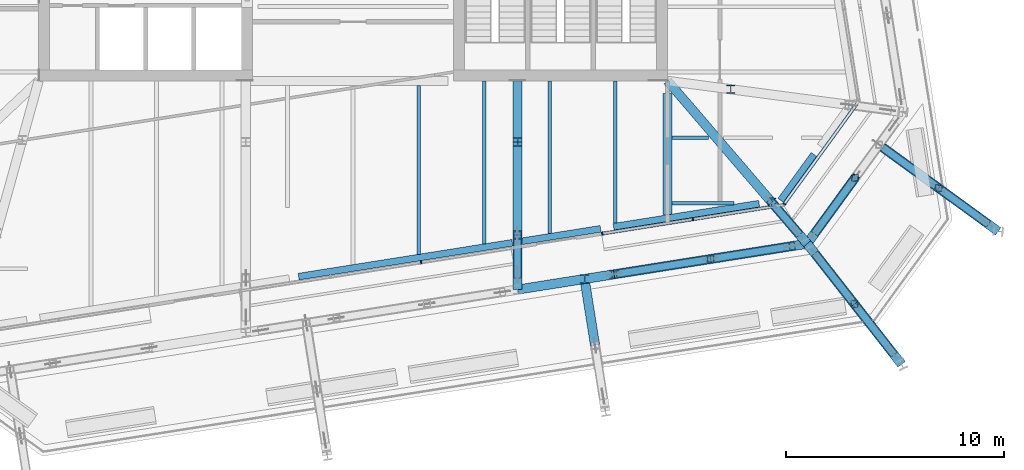
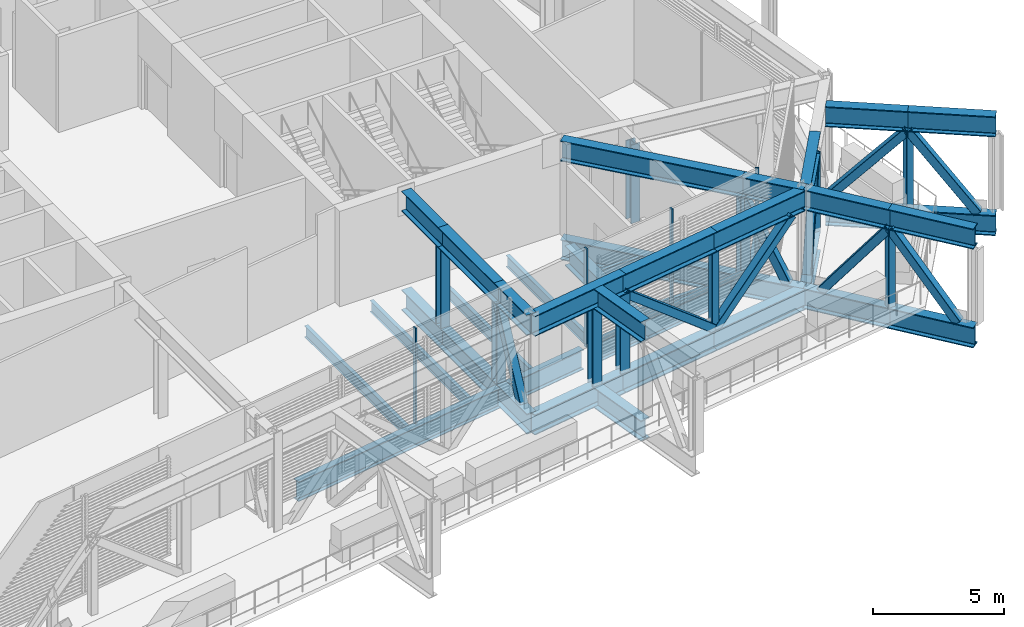
# One storey, part 9 of 35: 39 beams, 25 members, 2 elements without a shape of their own.
"""IFC4 building model written with IfcOpenShell, lengths in metres."""

import ifcopenshell
import ifcopenshell.guid

model = None  # the IFC model being written
_history = None  # IfcOwnerHistory: only IFC2X3 demands one
_inside = {}  # id of a spatial element -> (the spatial element, [elements in it])
_under = {}  # id of a project, library or spatial element -> (it, [spatial elements below it])
_declared = {}  # id of a project -> (the project, [libraries it declares])
_typed = {}  # id of a type object -> (the type object, [elements of that type])
_made_of = {}  # id of a material, layer set ... -> (it, [elements and type objects made of it])


def new_model(schema):
    """Start an empty IFC model of exactly this schema.

    Asked for "IFC4X3", IfcOpenShell would pick the latest addendum, in which some entities
    have other attributes; the version numbers below select the first issue.
    IFC2X3 requires an IfcOwnerHistory on every rooted entity: one is made here for all.
    """
    global model, _history
    if schema == "IFC4X3":
        model = ifcopenshell.file(schema_version=(4, 3, 0, 0))
    else:
        model = ifcopenshell.file(schema=schema)
    _inside.clear()
    _under.clear()
    _declared.clear()
    _typed.clear()
    _made_of.clear()
    _history = None
    if model.schema == "IFC2X3":
        org = make("IfcOrganization", Name="unknown")
        user = make(
            "IfcPersonAndOrganization",
            ThePerson=make("IfcPerson", FamilyName="unknown"),
            TheOrganization=org,
        )
        app = make(
            "IfcApplication",
            ApplicationDeveloper=org,
            Version="unknown",
            ApplicationFullName="unknown",
            ApplicationIdentifier="unknown",
        )
        _history = make(
            "IfcOwnerHistory",
            OwningUser=user,
            OwningApplication=app,
            ChangeAction="ADDED",
            CreationDate=0,
        )
    return model


def make(cls, **values):
    """One entity of the class cls with the attributes given. An attribute that is None is left unset."""
    return model.create_entity(
        cls, **{name: value for name, value in values.items() if value is not None}
    )


def rooted(cls, **values):
    """An entity with a GlobalId (a new one), such as an element, a storey or a relation."""
    return make(cls, GlobalId=ifcopenshell.guid.new(), OwnerHistory=_history, **values)


def si_unit(unit_type, name, prefix=None):
    """IfcSIUnit, for example si_unit("LENGTHUNIT", "METRE", prefix="MILLI")."""
    return make("IfcSIUnit", UnitType=unit_type, Prefix=prefix, Name=name)


def assignment(units):
    """IfcUnitAssignment: the units of a project."""
    return None if units is None else make("IfcUnitAssignment", Units=units)


def point(xyz):
    """IfcCartesianPoint."""
    return None if xyz is None else make("IfcCartesianPoint", Coordinates=xyz)


def direction(xyz):
    """IfcDirection."""
    return None if xyz is None else make("IfcDirection", DirectionRatios=xyz)


def frame(location, z_axis=None, x_axis=None):
    """IfcAxis2Placement3D, a coordinate frame: its origin and axes. An axis left out is left unset."""
    return make(
        "IfcAxis2Placement3D",
        Location=point(location),
        Axis=direction(z_axis),
        RefDirection=direction(x_axis),
    )


def frame_2d(location, x_axis=None):
    """IfcAxis2Placement2D, a coordinate frame in the plane: its origin and x axis."""
    return make(
        "IfcAxis2Placement2D", Location=point(location), RefDirection=direction(x_axis)
    )


def origin():
    """The frame at (0, 0, 0) with its axes left unset."""
    return frame((0.0, 0.0, 0.0))


def origin_2d():
    """The frame at (0, 0) in the plane with its x axis left unset."""
    return frame_2d((0.0, 0.0))


def place(relative_to, where):
    """IfcLocalPlacement: puts the frame where relative to a parent placement (None: the world)."""
    return make(
        "IfcLocalPlacement", PlacementRelTo=relative_to, RelativePlacement=where
    )


def context(
    kind, dimensions, precision=None, world=None, true_north=None, identifier=None
):
    """IfcGeometricRepresentationContext, for example the 3D "Model" context."""
    return make(
        "IfcGeometricRepresentationContext",
        ContextIdentifier=identifier,
        ContextType=kind,
        CoordinateSpaceDimension=dimensions,
        Precision=precision,
        WorldCoordinateSystem=world,
        TrueNorth=true_north,
    )


def subcontext(parent, identifier, kind, view, scale=None):
    """IfcGeometricRepresentationSubContext, for example "Body" below "Model"."""
    return make(
        "IfcGeometricRepresentationSubContext",
        ContextIdentifier=identifier,
        ContextType=kind,
        ParentContext=parent,
        TargetScale=scale,
        TargetView=view,
    )


def project(units=None, contexts=None):
    """IfcProject with its units and contexts."""
    return rooted(
        "IfcProject",
        Name="project",
        RepresentationContexts=contexts,
        UnitsInContext=assignment(units),
    )


def spatial(cls, under=None, at=None, **own):
    """A site, building, storey or space (cls), placed at a placement, below another one or the project."""
    s = rooted(cls, ObjectPlacement=at, **own)
    if under is not None:
        _under.setdefault(under.id(), (under, []))[1].append(s)
    return s


def profile(cls, at=None, kind="AREA", **sizes):
    """A parametric profile (cls). Its sizes go by their IFC names, for example OverallWidth=200.0."""
    return make(cls, ProfileType=kind, Position=at, **sizes)


def rectangle(**sizes):
    """IfcRectangleProfileDef."""
    return profile("IfcRectangleProfileDef", **sizes)


def hollow_rectangle(**sizes):
    """IfcRectangleHollowProfileDef."""
    return profile("IfcRectangleHollowProfileDef", **sizes)


def i_section(**sizes):
    """IfcIShapeProfileDef."""
    return profile("IfcIShapeProfileDef", **sizes)


def extrude(swept, where, along, depth):
    """IfcExtrudedAreaSolid: the profile swept, set in the frame where, extruded along a direction by depth."""
    return make(
        "IfcExtrudedAreaSolid",
        SweptArea=swept,
        Position=where,
        ExtrudedDirection=direction(along),
        Depth=depth,
    )


def shape(context_of_items, identifier, shape_type, items):
    """IfcShapeRepresentation: the items that make up one representation, for example the "Body"."""
    return make(
        "IfcShapeRepresentation",
        ContextOfItems=context_of_items,
        RepresentationIdentifier=identifier,
        RepresentationType=shape_type,
        Items=items,
    )


def material(Name=None, Category=None):
    """IfcMaterial."""
    return make("IfcMaterial", Name=Name, Category=Category)


def layer(
    of_material, thickness, ventilated=None, Name=None, Category=None, Priority=None
):
    """IfcMaterialLayer: one layer of a wall or slab, of a material (None: an air gap)."""
    return make(
        "IfcMaterialLayer",
        Material=of_material,
        LayerThickness=thickness,
        IsVentilated=ventilated,
        Name=Name,
        Category=Category,
        Priority=Priority,
    )


def layer_set(layers, Name=None):
    """IfcMaterialLayerSet."""
    return make("IfcMaterialLayerSet", MaterialLayers=layers, LayerSetName=Name)


def material_profile(
    of_material, cross_section, Name=None, Category=None, Priority=None
):
    """IfcMaterialProfile: a cross section and its material."""
    return make(
        "IfcMaterialProfile",
        Name=Name,
        Material=of_material,
        Profile=cross_section,
        Priority=Priority,
        Category=Category,
    )


def profile_set(profiles, Name=None, composite=None):
    """IfcMaterialProfileSet."""
    return make(
        "IfcMaterialProfileSet",
        Name=Name,
        MaterialProfiles=profiles,
        CompositeProfile=composite,
    )


def made_of(thing, what):
    """Note that an element or type object is made of a material, layer set ...; save() writes the relation."""
    if what is not None:
        _made_of.setdefault(what.id(), (what, []))[1].append(thing)
    return thing


def type_object(cls, material=None, **own):
    """A type object (cls), such as IfcWallType, which elements share."""
    return made_of(rooted(cls, **own), material)


def element(
    cls,
    number,
    at=None,
    inside=None,
    cuts=None,
    type_object=None,
    material=None,
    context=None,
    identifier="Body",
    shape_type=None,
    held_by="IfcProductDefinitionShape",
    body=None,
    shapes=None,
    **own,
):
    """One element of the class cls, such as IfcWall. Its Tag is "e" and its number.

    at: its placement. inside: the storey or other place that contains it. cuts: it is an
    opening in that element (IfcRelVoidsElement). A single representation is given by context,
    identifier, shape_type and body (its items); several are given by shapes. held_by: the class
    of the entity that holds the representations. save() writes the other relations.
    """
    e = rooted(cls, Tag="e%d" % number, ObjectPlacement=at, **own)
    if body is not None:
        shapes = [shape(context, identifier, shape_type, body)]
    if shapes is not None:
        e.Representation = make(held_by, Representations=shapes)
    if inside is not None:
        _inside.setdefault(inside.id(), (inside, []))[1].append(e)
    if cuts is not None:
        rooted(
            "IfcRelVoidsElement", RelatingBuildingElement=cuts, RelatedOpeningElement=e
        )
    if type_object is not None:
        _typed.setdefault(type_object.id(), (type_object, []))[1].append(e)
    return made_of(e, material)


def aggregate(whole, parts):
    """IfcRelAggregates: a whole, such as a stair, and the parts it consists of."""
    return rooted("IfcRelAggregates", RelatingObject=whole, RelatedObjects=parts)


def save(model, path):
    """Write the relations noted so far, then the file.

    IfcRelAggregates (storeys below a building ...), IfcRelContainedInSpatialStructure (elements
    in a storey), IfcRelDefinesByType, IfcRelAssociatesMaterial and IfcRelDeclares: one each for
    every whole, place, type object, material and project.
    """
    for whole, parts in _under.values():
        aggregate(whole, parts)
    for where, things in _inside.values():
        rooted(
            "IfcRelContainedInSpatialStructure",
            RelatedElements=things,
            RelatingStructure=where,
        )
    for kind, things in _typed.values():
        rooted("IfcRelDefinesByType", RelatedObjects=things, RelatingType=kind)
    for what, things in _made_of.values():
        rooted("IfcRelAssociatesMaterial", RelatedObjects=things, RelatingMaterial=what)
    for by, libraries in _declared.values():
        rooted("IfcRelDeclares", RelatingContext=by, RelatedDefinitions=libraries)
    model.write(path)


model = new_model("IFC4")

# Units and contexts
model_context = context("Model", 3, precision=1e-05, world=origin(), true_north=direction((0.0, 1.0)))
body_context = subcontext(model_context, "Body", "Model", "MODEL_VIEW")
ifc_project = project(units=[si_unit("LENGTHUNIT", "METRE"), si_unit("AREAUNIT", "SQUARE_METRE"), si_unit("VOLUMEUNIT", "CUBIC_METRE"), si_unit("PLANEANGLEUNIT", "RADIAN"), si_unit("MASSUNIT", "GRAM", prefix="KILO")], contexts=[model_context])

# Site, building, storey
site_placement = place(None, origin())
site = spatial("IfcSite", under=ifc_project, at=site_placement, CompositionType="ELEMENT")
building_placement = place(site_placement, origin())
building = spatial("IfcBuilding", under=site, at=building_placement, Name="Millrace Tower", CompositionType="ELEMENT")
storey_placement = place(building_placement, frame((0.0, 0.0, 200.10009765625)))
storey = spatial("IfcBuildingStorey", under=building, at=storey_placement, Name="L45", CompositionType="ELEMENT", Elevation=200.10009765625)

# Curtain wall, members
ifc_material_1 = material(Name="Aluminium and glass", Category="aluminium")
ifc_layer = layer(ifc_material_1, 0.14990234375)
ifc_layer_set = layer_set([ifc_layer], Name="Aluminium and glass")
curtain_wall_type = type_object("IfcCurtainWallType", Name="CW-5 truss and plant storey louvred infill", PredefinedType="NOTDEFINED", material=ifc_layer_set)
placement = place(storey_placement, origin())
curtain_wall_1 = element("IfcCurtainWall", 1, at=placement, inside=storey, type_object=curtain_wall_type, Name="Curtain wall D-F02 L45", PredefinedType="NOTDEFINED")
ifc_material_2 = material(Name="Aluminium", Category="aluminium")
ifc_material_profile_1 = material_profile(ifc_material_2, rectangle(XDim=0.06494140625, YDim=0.14990234375, at=origin_2d()))
ifc_profile_set_1 = profile_set([ifc_material_profile_1], Name="Aluminium")
member_type_1 = type_object("IfcMemberType", Name="CW-5 truss and plant storey louvred infill mullion", PredefinedType="MULLION", material=ifc_profile_set_1)
member_1_placement = place(storey_placement, frame((3.115966796875, -17.707275390625, 0.139892578125), z_axis=(0.0, 0.0, 1.0), x_axis=(0.987688339511, 0.156434471884, 0.0)))
member_1 = element("IfcMember", 2, at=member_1_placement, type_object=member_type_1, Name="CW5 mullion D-F02.6", PredefinedType="MULLION", context=body_context, shape_type="SweptSolid", body=[
    extrude(rectangle(XDim=0.06494140625, YDim=0.14990234375, at=origin_2d()), origin(), (0.0, 0.0, 1.0), 4.4599609375),
])
member_2_placement = place(storey_placement, frame((11.41259765625, -16.393310546875, 0.139892578125), z_axis=(0.0, 0.0, 1.0), x_axis=(0.987688339511, 0.156434471884, 0.0)))
member_2 = element("IfcMember", 3, at=member_2_placement, type_object=member_type_1, Name="CW5 mullion D-F02.8", PredefinedType="MULLION", context=body_context, shape_type="SweptSolid", body=[
    extrude(rectangle(XDim=0.06494140625, YDim=0.14990234375, at=origin_2d()), origin(), (0.0, 0.0, 1.0), 4.4599609375),
])
member_3_placement = place(storey_placement, frame((15.560791015625, -15.736328125, 0.139892578125), z_axis=(0.0, 0.0, 1.0), x_axis=(0.987688339511, 0.156434471884, 0.0)))
member_3 = element("IfcMember", 4, at=member_3_placement, type_object=member_type_1, Name="CW5 mullion D-F02.9", PredefinedType="MULLION", context=body_context, shape_type="SweptSolid", body=[
    extrude(rectangle(XDim=0.06494140625, YDim=0.14990234375, at=origin_2d()), origin(), (0.0, 0.0, 1.0), 4.4599609375),
])

# Curtain wall, member
curtain_wall_2 = element("IfcCurtainWall", 5, at=placement, inside=storey, type_object=curtain_wall_type, Name="Curtain wall D-F03 L45", PredefinedType="NOTDEFINED")
member_4_placement = place(storey_placement, frame((19.7451171875, -15.028076171875, 0.139892578125), z_axis=(0.0, 0.0, 1.0), x_axis=(0.587785305991, 0.809016955361, 0.0)))
member_4 = element("IfcMember", 6, at=member_4_placement, type_object=member_type_1, Name="CW5 mullion D-F03.1", PredefinedType="MULLION", context=body_context, shape_type="SweptSolid", body=[
    extrude(rectangle(XDim=0.06494140625, YDim=0.14990234375, at=origin_2d()), origin(), (0.0, 0.0, 1.0), 4.4599609375),
])

# Member
ifc_material_3 = material(Name="Aluminium", Category="aluminium")
ifc_material_profile_2 = material_profile(ifc_material_3, rectangle(XDim=0.14990234375, YDim=0.139892578125, at=origin_2d()))
ifc_profile_set_2 = profile_set([ifc_material_profile_2], Name="Aluminium")
member_type_2 = type_object("IfcMemberType", Name="CW-5 truss and plant storey louvred infill transom", PredefinedType="USERDEFINED", material=ifc_profile_set_2)
member_5_placement = place(storey_placement, frame((11.38037109375, -16.3984375, 0.06982421875), z_axis=(0.987685573283, 0.156451936159, 0.0), x_axis=(-0.156451936159, 0.987685573283, 0.0)))
member_5 = element("IfcMember", 7, at=member_5_placement, type_object=member_type_2, Name="CW5 transom D-F02.3", ObjectType="TRANSOM", PredefinedType="USERDEFINED", context=body_context, shape_type="SweptSolid", body=[
    extrude(rectangle(XDim=0.14990234375, YDim=0.139892578125, at=origin_2d()), origin(), (0.0, 0.0, 1.0), 8.30029296875),
])

aggregate(curtain_wall_1, [member_1, member_2, member_3, member_5])

member_6_placement = place(storey_placement, frame((19.78466796875, -14.973388671875, 0.06982421875), z_axis=(0.587811213399, 0.808998131891, 0.0), x_axis=(-0.808998131891, 0.587811213399, 0.0)))
member_6 = element("IfcMember", 8, at=member_6_placement, type_object=member_type_2, Name="CW5 transom D-F03.1", ObjectType="TRANSOM", PredefinedType="USERDEFINED", context=body_context, shape_type="SweptSolid", body=[
    extrude(rectangle(XDim=0.14990234375, YDim=0.139892578125, at=origin_2d()), origin(), (0.0, 0.0, 1.0), 5.598388671875),
])

aggregate(curtain_wall_2, [member_4, member_6])

# Beams
ifc_material_4 = material(Name="Steel ASTM A992 Grade 50", Category="steel")
ifc_material_profile_3 = material_profile(ifc_material_4, i_section(OverallWidth=0.15234375, OverallDepth=0.449462890625, WebThickness=0.007568359375, FlangeThickness=0.0107421875, FilletRadius=0.01025390625, at=origin_2d()))
ifc_profile_set_3 = profile_set([ifc_material_profile_3], Name="Steel ASTM A992 Grade 50")
beam_type_1 = type_object("IfcBeamType", Name="Floor beam W18x35", PredefinedType="JOIST", material=ifc_profile_set_3)
beam_1_placement = place(storey_placement, frame((14.609619140625, -15.0, -0.384765625), z_axis=(1.0, 0.0, 0.0), x_axis=(0.0, 1.0, 0.0)))
element("IfcBeam", 9, at=beam_1_placement, inside=storey, type_object=beam_type_1, Name="BM-D-L45-S1-S003", PredefinedType="JOIST", context=body_context, shape_type="SweptSolid", body=[
    extrude(i_section(OverallWidth=0.15234375, OverallDepth=0.449462890625, WebThickness=0.007568359375, FlangeThickness=0.0107421875, FilletRadius=0.01025390625, at=origin_2d()), origin(), (0.0, 0.0, 1.0), 2.839599609375),
])
ifc_material_5 = material(Name="Steel ASTM A992 Grade 50", Category="steel")
ifc_material_profile_4 = material_profile(ifc_material_5, i_section(OverallWidth=0.1650390625, OverallDepth=0.52587890625, WebThickness=0.0087890625, FlangeThickness=0.011474609375, FilletRadius=0.0126953125, at=origin_2d()))
ifc_profile_set_4 = profile_set([ifc_material_profile_4], Name="Steel ASTM A992 Grade 50")
beam_type_2 = type_object("IfcBeamType", Name="Floor beam W21x44", PredefinedType="JOIST", material=ifc_profile_set_4)
beam_2_placement = place(storey_placement, frame((3.0, -17.338623046875, -0.423095703125), z_axis=(0.0, 1.0, 0.0), x_axis=(-1.0, 0.0, 0.0)))
element("IfcBeam", 10, at=beam_2_placement, inside=storey, type_object=beam_type_2, Name="BM-D-L45-S1-S047", PredefinedType="JOIST", context=body_context, shape_type="SweptSolid", body=[
    extrude(i_section(OverallWidth=0.1650390625, OverallDepth=0.52587890625, WebThickness=0.0087890625, FlangeThickness=0.011474609375, FilletRadius=0.0126953125, at=origin_2d()), origin(), (0.0, 0.0, 1.0), 7.72900390625),
])
beam_3_placement = place(storey_placement, frame((6.0, -16.863525390625, -0.423095703125), z_axis=(0.0, 1.0, 0.0), x_axis=(-1.0, 0.0, 0.0)))
element("IfcBeam", 11, at=beam_3_placement, inside=storey, type_object=beam_type_2, Name="BM-D-L45-S1-S049", PredefinedType="JOIST", context=body_context, shape_type="SweptSolid", body=[
    extrude(i_section(OverallWidth=0.1650390625, OverallDepth=0.52587890625, WebThickness=0.0087890625, FlangeThickness=0.011474609375, FilletRadius=0.0126953125, at=origin_2d()), origin(), (0.0, 0.0, 1.0), 7.463623046875),
])
beam_4_placement = place(storey_placement, frame((9.0, -16.38818359375, -0.423095703125), z_axis=(0.0, 1.0, 0.0), x_axis=(-1.0, 0.0, 0.0)))
element("IfcBeam", 12, at=beam_4_placement, inside=storey, type_object=beam_type_2, Name="BM-D-L45-S1-S051", PredefinedType="JOIST", context=body_context, shape_type="SweptSolid", body=[
    extrude(i_section(OverallWidth=0.1650390625, OverallDepth=0.52587890625, WebThickness=0.0087890625, FlangeThickness=0.011474609375, FilletRadius=0.0126953125, at=origin_2d()), origin(), (0.0, 0.0, 1.0), 6.98828125),
])
beam_5_placement = place(storey_placement, frame((12.0, -15.9130859375, -0.423095703125), z_axis=(0.0, 1.0, 0.0), x_axis=(-1.0, 0.0, 0.0)))
element("IfcBeam", 13, at=beam_5_placement, inside=storey, type_object=beam_type_2, Name="BM-D-L45-S1-S053", PredefinedType="JOIST", context=body_context, shape_type="SweptSolid", body=[
    extrude(i_section(OverallWidth=0.1650390625, OverallDepth=0.52587890625, WebThickness=0.0087890625, FlangeThickness=0.011474609375, FilletRadius=0.0126953125, at=origin_2d()), origin(), (0.0, 0.0, 1.0), 6.51318359375),
])
beam_6_placement = place(storey_placement, frame((14.609619140625, -12.0, -0.423095703125), z_axis=(1.0, 0.0, 0.0), x_axis=(0.0, 1.0, 0.0)))
element("IfcBeam", 14, at=beam_6_placement, inside=storey, type_object=beam_type_2, Name="BM-D-L45-S1-S005-a", PredefinedType="JOIST", context=body_context, shape_type="SweptSolid", body=[
    extrude(i_section(OverallWidth=0.1650390625, OverallDepth=0.52587890625, WebThickness=0.0087890625, FlangeThickness=0.011474609375, FilletRadius=0.0126953125, at=origin_2d()), origin(), (0.0, 0.0, 1.0), 1.666015625),
])
ifc_material_6 = material(Name="Steel ASTM A992 Grade 50", Category="steel")
ifc_material_profile_5 = material_profile(ifc_material_6, i_section(OverallWidth=0.419189453125, OverallDepth=0.927001953125, WebThickness=0.019287109375, FlangeThickness=0.031982421875, FilletRadius=0.024169921875, at=origin_2d()))
ifc_profile_set_5 = profile_set([ifc_material_profile_5], Name="Steel ASTM A992 Grade 50")
beam_type_3 = type_object("IfcBeamType", Name="Girder short span W36x231", PredefinedType="BEAM", material=ifc_profile_set_5)
beam_7_placement = place(storey_placement, frame((14.39990234375, -15.52490234375, -0.62353515625), z_axis=(0.0, 1.0, 0.0), x_axis=(-1.0, 0.0, 0.0)))
element("IfcBeam", 15, at=beam_7_placement, inside=storey, type_object=beam_type_3, Name="BM-D-L45-S1-G057", PredefinedType="BEAM", context=body_context, shape_type="SweptSolid", body=[
    extrude(i_section(OverallWidth=0.419189453125, OverallDepth=0.927001953125, WebThickness=0.019287109375, FlangeThickness=0.031982421875, FilletRadius=0.024169921875, at=origin_2d()), origin(), (0.0, 0.0, 1.0), 5.549072265625),
])
ifc_material_7 = material(Name="Steel ASTM A992 Grade 50", Category="steel")
ifc_material_profile_6 = material_profile(ifc_material_7, i_section(OverallWidth=0.307373046875, OverallDepth=0.927001953125, WebThickness=0.01953125, FlangeThickness=0.031982421875, FilletRadius=0.01904296875, at=origin_2d()))
ifc_profile_set_6 = profile_set([ifc_material_profile_6], Name="Steel ASTM A992 Grade 50")
beam_type_4 = type_object("IfcBeamType", Name="Ring beam short span W36x194", PredefinedType="SPANDREL", material=ifc_profile_set_6)
beam_8_placement = place(storey_placement, frame((7.295166015625, -16.81396484375, -0.62353515625), z_axis=(-0.987688146397, -0.156435691151, 0.0), x_axis=(0.156435691151, -0.987688146397, 0.0)))
element("IfcBeam", 16, at=beam_8_placement, inside=storey, type_object=beam_type_4, Name="RNG-D-L45-S1-14-a", PredefinedType="SPANDREL", context=body_context, shape_type="SweptSolid", body=[
    extrude(i_section(OverallWidth=0.307373046875, OverallDepth=0.927001953125, WebThickness=0.01953125, FlangeThickness=0.031982421875, FilletRadius=0.01904296875, at=origin_2d()), origin(), (0.0, 0.0, 1.0), 9.91015625),
])
beam_9_placement = place(storey_placement, frame((21.1025390625, -12.770751953125, -0.62353515625), z_axis=(-0.587818936636, -0.808992520195, 0.0), x_axis=(0.808992520195, -0.587818936636, 0.0)))
element("IfcBeam", 17, at=beam_9_placement, inside=storey, type_object=beam_type_4, Name="RNG-D-L45-S1-12-b", PredefinedType="SPANDREL", context=body_context, shape_type="SweptSolid", body=[
    extrude(i_section(OverallWidth=0.307373046875, OverallDepth=0.927001953125, WebThickness=0.01953125, FlangeThickness=0.031982421875, FilletRadius=0.01904296875, at=origin_2d()), origin(), (0.0, 0.0, 1.0), 2.593017578125),
])
beam_10_placement = place(storey_placement, frame((18.5947265625, -15.024169921875, -0.62353515625), z_axis=(-0.98768719979, -0.156441667629, 0.0), x_axis=(0.156441667629, -0.98768719979, 0.0)))
element("IfcBeam", 18, at=beam_10_placement, inside=storey, type_object=beam_type_4, Name="RNG-D-L45-S1-13-a", PredefinedType="SPANDREL", context=body_context, shape_type="SweptSolid", body=[
    extrude(i_section(OverallWidth=0.307373046875, OverallDepth=0.927001953125, WebThickness=0.01953125, FlangeThickness=0.031982421875, FilletRadius=0.01904296875, at=origin_2d()), origin(), (0.0, 0.0, 1.0), 6.7509765625),
])
beam_11_placement = place(storey_placement, frame((11.3349609375, -16.174072265625, -0.62353515625), z_axis=(-0.987685500946, -0.156452392825, 0.0), x_axis=(0.156452392825, -0.987685500946, 0.0)))
element("IfcBeam", 19, at=beam_11_placement, inside=storey, type_object=beam_type_4, Name="RNG-D-L45-S1-13-b", PredefinedType="SPANDREL", context=body_context, shape_type="SweptSolid", body=[
    extrude(i_section(OverallWidth=0.307373046875, OverallDepth=0.927001953125, WebThickness=0.01953125, FlangeThickness=0.031982421875, FilletRadius=0.01904296875, at=origin_2d()), origin(), (0.0, 0.0, 1.0), 3.63427734375),
])

# Members
ifc_material_8 = material(Name="Steel ASTM A992 Grade 50", Category="steel")
ifc_material_profile_7 = material_profile(ifc_material_8, i_section(OverallWidth=0.40380859375, OverallDepth=0.406494140625, WebThickness=0.027099609375, FlangeThickness=0.043701171875, FilletRadius=0.01513671875, at=origin_2d()))
ifc_profile_set_7 = profile_set([ifc_material_profile_7], Name="Steel ASTM A992 Grade 50")
member_type_3 = type_object("IfcMemberType", Name="Transfer truss Vierendeel moment post W14x233", PredefinedType="POST", material=ifc_profile_set_7)
for number, where, z_axis, x_axis, name in (
    (20, (11.954345703125, -18.25634765625, -0.16015625), (0.0, 0.0, 1.0), (1.0, 0.0, 0.0), "TRS-L45-R04-V01"),
    (21, (7.533203125, -16.456787109375, -0.16015625), (0.0, 0.0, 1.0), (1.0, 0.0, 0.0), "TRS-L45-C04-V01"),
    (22, (7.533203125, -12.199951171875, -0.16015625), (0.0, 0.0, 1.0), (1.0, 0.0, 0.0), "TRS-L45-C04-V02"),
    (23, (19.168701171875, -14.95849609375, -0.16015625), (0.0, 0.0, 1.0), (1.0, 0.0, 0.0), "TRS-L45-C05-V01"),
    (24, (17.294921875, -9.78271484375, -0.16015625), (0.0, 0.0, 1.0), (1.0, 0.0, 0.0), "TRS-L45-C06-V02"),
    (25, (10.6005859375, -18.470947265625, -0.16015625), (0.0, 0.0, 1.0), (1.0, 0.0, 0.0), "TRS-L45-B-C-X04-V02"),
):
    element("IfcMember", number, at=place(storey_placement, frame(where, z_axis=z_axis, x_axis=x_axis)), inside=storey, type_object=member_type_3, Name=name, PredefinedType="POST", context=body_context, shape_type="SweptSolid", body=[
        extrude(i_section(OverallWidth=0.40380859375, OverallDepth=0.406494140625, WebThickness=0.027099609375, FlangeThickness=0.043701171875, FilletRadius=0.01513671875, at=origin_2d()), origin(), (0.0, 0.0, 1.0), 3.652587890625),
    ])

# Beams
ifc_material_9 = material(Name="Steel ASTM A992 Grade 50", Category="steel")
ifc_material_profile_8 = material_profile(ifc_material_9, i_section(OverallWidth=0.424072265625, OverallDepth=0.947509765625, WebThickness=0.02392578125, FlangeThickness=0.042724609375, FilletRadius=0.024169921875, at=origin_2d()))
ifc_profile_set_8 = profile_set([ifc_material_profile_8], Name="Steel ASTM A992 Grade 50")
beam_type_5 = type_object("IfcBeamType", Name="Transfer truss chord W36x302", PredefinedType="BEAM", material=ifc_profile_set_8)
for number, where, z_axis, x_axis, name in (
    (26, (7.533203125, -18.956787109375, -0.6337890625), (0.987681461746, 0.156477890206, 0.0), (-0.156477890206, 0.987681461746, 0.0), "TRS-L45-R04-B01"),
    (27, (7.533203125, -18.956787109375, 3.96630859375), (0.987681461746, 0.156477890206, 0.0), (-0.156477890206, 0.987681461746, 0.0), "TRS-L45-R04-T01"),
):
    element("IfcBeam", number, at=place(storey_placement, frame(where, z_axis=z_axis, x_axis=x_axis)), inside=storey, type_object=beam_type_5, Name=name, PredefinedType="BEAM", context=body_context, shape_type="SweptSolid", body=[
        extrude(i_section(OverallWidth=0.424072265625, OverallDepth=0.947509765625, WebThickness=0.02392578125, FlangeThickness=0.042724609375, FilletRadius=0.024169921875, at=origin_2d()), origin(), (0.0, 0.0, 1.0), 4.476318359375),
    ])
for number, where, z_axis, x_axis, name in (
    (28, (11.954345703125, -18.25634765625, -0.6337890625), (0.987688555037, 0.156433111103, 0.0), (-0.156433111103, 0.987688555037, 0.0), "TRS-L45-R04-B02"),
    (29, (11.954345703125, -18.25634765625, 3.96630859375), (0.987688555037, 0.156433111103, 0.0), (-0.156433111103, 0.987688555037, 0.0), "TRS-L45-R04-T02"),
):
    element("IfcBeam", number, at=place(storey_placement, frame(where, z_axis=z_axis, x_axis=x_axis)), inside=storey, type_object=beam_type_5, Name=name, PredefinedType="BEAM", context=body_context, shape_type="SweptSolid", body=[
        extrude(i_section(OverallWidth=0.424072265625, OverallDepth=0.947509765625, WebThickness=0.02392578125, FlangeThickness=0.042724609375, FilletRadius=0.024169921875, at=origin_2d()), origin(), (0.0, 0.0, 1.0), 4.47607421875),
    ])
for number, where, z_axis, x_axis, name in (
    (30, (16.375244140625, -17.55615234375, -0.6337890625), (0.9876898897, 0.156424684061, 0.0), (-0.156424684061, 0.9876898897, 0.0), "TRS-L45-R04-B03"),
    (31, (16.375244140625, -17.55615234375, 3.96630859375), (0.9876898897, 0.156424684061, 0.0), (-0.156424684061, 0.9876898897, 0.0), "TRS-L45-R04-T03"),
):
    element("IfcBeam", number, at=place(storey_placement, frame(where, z_axis=z_axis, x_axis=x_axis)), inside=storey, type_object=beam_type_5, Name=name, PredefinedType="BEAM", context=body_context, shape_type="SweptSolid", body=[
        extrude(i_section(OverallWidth=0.424072265625, OverallDepth=0.947509765625, WebThickness=0.02392578125, FlangeThickness=0.042724609375, FilletRadius=0.024169921875, at=origin_2d()), origin(), (0.0, 0.0, 1.0), 4.476318359375),
    ])
for number, where, z_axis, x_axis, name in (
    (32, (20.79638671875, -16.85595703125, -0.6337890625), (0.587774393355, 0.809024883744, 0.0), (-0.809024883744, 0.587774393355, 0.0), "TRS-L45-R05-B01"),
    (33, (20.79638671875, -16.85595703125, 3.96630859375), (0.587774393355, 0.809024883744, 0.0), (-0.809024883744, 0.587774393355, 0.0), "TRS-L45-R05-T01"),
):
    element("IfcBeam", number, at=place(storey_placement, frame(where, z_axis=z_axis, x_axis=x_axis)), inside=storey, type_object=beam_type_5, Name=name, PredefinedType="BEAM", context=body_context, shape_type="SweptSolid", body=[
        extrude(i_section(OverallWidth=0.424072265625, OverallDepth=0.947509765625, WebThickness=0.02392578125, FlangeThickness=0.042724609375, FilletRadius=0.024169921875, at=origin_2d()), origin(), (0.0, 0.0, 1.0), 3.7275390625),
    ])
for number, where, z_axis, x_axis, name in (
    (34, (7.533203125, -18.956787109375, -0.6337890625), (0.0, 1.0, 0.0), (-1.0, 0.0, 0.0), "TRS-L45-C04-B01"),
    (35, (7.533203125, -18.956787109375, 3.96630859375), (0.0, 1.0, 0.0), (-1.0, 0.0, 0.0), "TRS-L45-C04-T01"),
):
    element("IfcBeam", number, at=place(storey_placement, frame(where, z_axis=z_axis, x_axis=x_axis)), inside=storey, type_object=beam_type_5, Name=name, PredefinedType="BEAM", context=body_context, shape_type="SweptSolid", body=[
        extrude(i_section(OverallWidth=0.424072265625, OverallDepth=0.947509765625, WebThickness=0.02392578125, FlangeThickness=0.042724609375, FilletRadius=0.024169921875, at=origin_2d()), origin(), (0.0, 0.0, 1.0), 2.5),
    ])
for number, where, z_axis, x_axis, name in (
    (36, (7.533203125, -16.456787109375, -0.6337890625), (0.0, 1.0, 0.0), (-1.0, 0.0, 0.0), "TRS-L45-C04-B02"),
    (37, (7.533203125, -16.456787109375, 3.96630859375), (0.0, 1.0, 0.0), (-1.0, 0.0, 0.0), "TRS-L45-C04-T02"),
):
    element("IfcBeam", number, at=place(storey_placement, frame(where, z_axis=z_axis, x_axis=x_axis)), inside=storey, type_object=beam_type_5, Name=name, PredefinedType="BEAM", context=body_context, shape_type="SweptSolid", body=[
        extrude(i_section(OverallWidth=0.424072265625, OverallDepth=0.947509765625, WebThickness=0.02392578125, FlangeThickness=0.042724609375, FilletRadius=0.024169921875, at=origin_2d()), origin(), (0.0, 0.0, 1.0), 4.2568359375),
    ])
for number, where, z_axis, x_axis, name in (
    (38, (7.533203125, -12.199951171875, -0.6337890625), (0.0, 1.0, 0.0), (-1.0, 0.0, 0.0), "TRS-L45-C04-B03"),
    (39, (7.533203125, -12.199951171875, 3.96630859375), (0.0, 1.0, 0.0), (-1.0, 0.0, 0.0), "TRS-L45-C04-T03"),
):
    element("IfcBeam", number, at=place(storey_placement, frame(where, z_axis=z_axis, x_axis=x_axis)), inside=storey, type_object=beam_type_5, Name=name, PredefinedType="BEAM", context=body_context, shape_type="SweptSolid", body=[
        extrude(i_section(OverallWidth=0.424072265625, OverallDepth=0.947509765625, WebThickness=0.02392578125, FlangeThickness=0.042724609375, FilletRadius=0.024169921875, at=origin_2d()), origin(), (0.0, 0.0, 1.0), 2.800048828125),
    ])
for number, where, z_axis, x_axis, name in (
    (40, (20.79638671875, -16.85595703125, -0.6337890625), (-0.651088894519, 0.759001483156, 0.0), (-0.759001483156, -0.651088894519, 0.0), "TRS-L45-C05-B01"),
    (41, (20.79638671875, -16.85595703125, 3.96630859375), (-0.651088894519, 0.759001483156, 0.0), (-0.759001483156, -0.651088894519, 0.0), "TRS-L45-C05-T01"),
):
    element("IfcBeam", number, at=place(storey_placement, frame(where, z_axis=z_axis, x_axis=x_axis)), inside=storey, type_object=beam_type_5, Name=name, PredefinedType="BEAM", context=body_context, shape_type="SweptSolid", body=[
        extrude(i_section(OverallWidth=0.424072265625, OverallDepth=0.947509765625, WebThickness=0.02392578125, FlangeThickness=0.042724609375, FilletRadius=0.024169921875, at=origin_2d()), origin(), (0.0, 0.0, 1.0), 2.5),
    ])
for number, where, z_axis, x_axis, name in (
    (42, (19.168701171875, -14.95849609375, -0.6337890625), (-0.651128971181, 0.758967102639, 0.0), (-0.758967102639, -0.651128971181, 0.0), "TRS-L45-C05-B02"),
    (43, (19.168701171875, -14.95849609375, 3.96630859375), (-0.651128971181, 0.758967102639, 0.0), (-0.758967102639, -0.651128971181, 0.0), "TRS-L45-C05-T02"),
):
    element("IfcBeam", number, at=place(storey_placement, frame(where, z_axis=z_axis, x_axis=x_axis)), inside=storey, type_object=beam_type_5, Name=name, PredefinedType="BEAM", context=body_context, shape_type="SweptSolid", body=[
        extrude(i_section(OverallWidth=0.424072265625, OverallDepth=0.947509765625, WebThickness=0.02392578125, FlangeThickness=0.042724609375, FilletRadius=0.024169921875, at=origin_2d()), origin(), (0.0, 0.0, 1.0), 7.323974609375),
    ])
for number, where, z_axis, x_axis, name in (
    (44, (11.080078125, -21.4990234375, -0.6337890625), (-0.156472157189, 0.987682370008, 0.0), (-0.987682370008, -0.156472157189, 0.0), "TRS-L45-B-C-X04-B02"),
    (45, (11.080078125, -21.4990234375, 3.96630859375), (-0.156472157189, 0.987682370008, 0.0), (-0.987682370008, -0.156472157189, 0.0), "TRS-L45-B-C-X04-T02"),
):
    element("IfcBeam", number, at=place(storey_placement, frame(where, z_axis=z_axis, x_axis=x_axis)), inside=storey, type_object=beam_type_5, Name=name, PredefinedType="BEAM", context=body_context, shape_type="SweptSolid", body=[
        extrude(i_section(OverallWidth=0.424072265625, OverallDepth=0.947509765625, WebThickness=0.02392578125, FlangeThickness=0.042724609375, FilletRadius=0.024169921875, at=origin_2d()), origin(), (0.0, 0.0, 1.0), 2.853759765625),
    ])
for number, where, z_axis, x_axis, name in (
    (46, (25.119140625, -22.37939453125, -0.6337890625), (-0.61631389298, 0.787500593854, 0.0), (-0.787500593854, -0.61631389298, 0.0), "TRS-L45-B-C-X05-B01"),
    (47, (25.119140625, -22.37939453125, 3.96630859375), (-0.61631389298, 0.787500593854, 0.0), (-0.787500593854, -0.61631389298, 0.0), "TRS-L45-B-C-X05-T01"),
    (48, (22.957763671875, -19.61767578125, -0.6337890625), (-0.61631389298, 0.787500593854, 0.0), (-0.787500593854, -0.61631389298, 0.0), "TRS-L45-B-C-X05-B02"),
    (49, (22.957763671875, -19.61767578125, 3.96630859375), (-0.61631389298, 0.787500593854, 0.0), (-0.787500593854, -0.61631389298, 0.0), "TRS-L45-B-C-X05-T02"),
):
    element("IfcBeam", number, at=place(storey_placement, frame(where, z_axis=z_axis, x_axis=x_axis)), inside=storey, type_object=beam_type_5, Name=name, PredefinedType="BEAM", context=body_context, shape_type="SweptSolid", body=[
        extrude(i_section(OverallWidth=0.424072265625, OverallDepth=0.947509765625, WebThickness=0.02392578125, FlangeThickness=0.042724609375, FilletRadius=0.024169921875, at=origin_2d()), origin(), (0.0, 0.0, 1.0), 3.5068359375),
    ])
for number, where, z_axis, x_axis, name in (
    (50, (29.542724609375, -16.291015625, -0.6337890625), (-0.809030291167, 0.587766950393, 0.0), (-0.587766950393, -0.809030291167, 0.0), "TRS-L45-B-C-X06-B01"),
    (51, (29.542724609375, -16.291015625, 3.96630859375), (-0.809030291167, 0.587766950393, 0.0), (-0.587766950393, -0.809030291167, 0.0), "TRS-L45-B-C-X06-T01"),
):
    element("IfcBeam", number, at=place(storey_placement, frame(where, z_axis=z_axis, x_axis=x_axis)), inside=storey, type_object=beam_type_5, Name=name, PredefinedType="BEAM", context=body_context, shape_type="SweptSolid", body=[
        extrude(i_section(OverallWidth=0.424072265625, OverallDepth=0.947509765625, WebThickness=0.02392578125, FlangeThickness=0.042724609375, FilletRadius=0.024169921875, at=origin_2d()), origin(), (0.0, 0.0, 1.0), 3.3720703125),
    ])
for number, where, z_axis, x_axis, name in (
    (52, (26.814697265625, -14.30908203125, -0.6337890625), (-0.808976585857, 0.587840865826, 0.0), (-0.587840865826, -0.808976585857, 0.0), "TRS-L45-B-C-X06-B02"),
    (53, (26.814697265625, -14.30908203125, 3.96630859375), (-0.808976585857, 0.587840865826, 0.0), (-0.587840865826, -0.808976585857, 0.0), "TRS-L45-B-C-X06-T02"),
):
    element("IfcBeam", number, at=place(storey_placement, frame(where, z_axis=z_axis, x_axis=x_axis)), inside=storey, type_object=beam_type_5, Name=name, PredefinedType="BEAM", context=body_context, shape_type="SweptSolid", body=[
        extrude(i_section(OverallWidth=0.424072265625, OverallDepth=0.947509765625, WebThickness=0.02392578125, FlangeThickness=0.042724609375, FilletRadius=0.024169921875, at=origin_2d()), origin(), (0.0, 0.0, 1.0), 3.15966796875),
    ])

# Members
ifc_material_10 = material(Name="Steel ASTM A500 Grade C", Category="steel")
ifc_material_profile_9 = material_profile(ifc_material_10, hollow_rectangle(XDim=0.355712890625, YDim=0.355712890625, WallThickness=0.015869140625, InnerFilletRadius=0.008056640625, OuterFilletRadius=0.02392578125, at=origin_2d()))
ifc_profile_set_9 = profile_set([ifc_material_profile_9], Name="Steel ASTM A500 Grade C")
member_type_4 = type_object("IfcMemberType", Name="Transfer truss diagonal HSS14x14x5/8", PredefinedType="BRACE", material=ifc_profile_set_9)
member_7_placement = place(storey_placement, frame((16.375244140625, -17.55615234375, -0.16015625), z_axis=(-0.765232309408, -0.121199815738, 0.632242135026), x_axis=(0.156433111103, -0.987688555037, 0.0)))
element("IfcMember", 54, at=member_7_placement, inside=storey, type_object=member_type_4, Name="TRS-L45-R04-D02", PredefinedType="BRACE", context=body_context, shape_type="SweptSolid", body=[
    extrude(hollow_rectangle(XDim=0.355712890625, YDim=0.355712890625, WallThickness=0.015869140625, InnerFilletRadius=0.008056640625, OuterFilletRadius=0.02392578125, at=origin_2d()), origin(), (0.0, 0.0, 1.0), 5.777099609375),
])
member_8_placement = place(storey_placement, frame((16.375244140625, -17.55615234375, -0.16015625), z_axis=(0.709928880818, 0.112411989442, 0.695244222421), x_axis=(-0.156394157043, 0.987694723912, 0.0)))
element("IfcMember", 55, at=member_8_placement, inside=storey, type_object=member_type_4, Name="TRS-L45-R04-D03", PredefinedType="BRACE", context=body_context, shape_type="SweptSolid", body=[
    extrude(hollow_rectangle(XDim=0.355712890625, YDim=0.355712890625, WallThickness=0.015869140625, InnerFilletRadius=0.008056640625, OuterFilletRadius=0.02392578125, at=origin_2d()), origin(), (0.0, 0.0, 1.0), 5.253662109375),
])
member_9_placement = place(storey_placement, frame((21.207763671875, -16.289794921875, -0.16015625), z_axis=(0.375093234456, 0.516299961764, 0.76989571693), x_axis=(-0.809032377573, 0.587764078554, 0.0)))
element("IfcMember", 56, at=member_9_placement, inside=storey, type_object=member_type_4, Name="TRS-L45-R05-D01", PredefinedType="BRACE", context=body_context, shape_type="SweptSolid", body=[
    extrude(hollow_rectangle(XDim=0.355712890625, YDim=0.355712890625, WallThickness=0.015869140625, InnerFilletRadius=0.008056640625, OuterFilletRadius=0.02392578125, at=origin_2d()), origin(), (0.0, 0.0, 1.0), 4.744384765625),
])
for number, where, z_axis, x_axis, name in (
    (57, (7.533203125, -18.256591796875, -0.16015625), (0.0, 0.442001772063, 0.897014176863), (-1.0, 0.0, 0.0), "TRS-L45-C04-D01"),
    (58, (20.340576171875, -16.32470703125, -0.16015625), (-0.287788229346, 0.335513110712, 0.896999937341), (-0.759026769361, -0.651059416178, 0.0), "TRS-L45-C05-D01"),
):
    element("IfcMember", number, at=place(storey_placement, frame(where, z_axis=z_axis, x_axis=x_axis)), inside=storey, type_object=member_type_4, Name=name, PredefinedType="BRACE", context=body_context, shape_type="SweptSolid", body=[
        extrude(hollow_rectangle(XDim=0.355712890625, YDim=0.355712890625, WallThickness=0.015869140625, InnerFilletRadius=0.008056640625, OuterFilletRadius=0.02392578125, at=origin_2d()), origin(), (0.0, 0.0, 1.0), 4.072021484375),
    ])
for number, where, z_axis, x_axis, name in (
    (59, (24.687744140625, -21.828125, -0.16015625), (-0.375547842902, 0.479849021964, 0.792911554848), (-0.787493988494, -0.616322332944, 0.0), "TRS-L45-B-C-X05-D01"),
    (60, (21.227783203125, -17.4072265625, -0.16015625), (0.375547842902, -0.479849021964, 0.792911554848), (0.787493988494, 0.616322332944, 0.0), "TRS-L45-B-C-X05-D02"),
):
    element("IfcMember", number, at=place(storey_placement, frame(where, z_axis=z_axis, x_axis=x_axis)), inside=storey, type_object=member_type_4, Name=name, PredefinedType="BRACE", context=body_context, shape_type="SweptSolid", body=[
        extrude(hollow_rectangle(XDim=0.355712890625, YDim=0.355712890625, WallThickness=0.015869140625, InnerFilletRadius=0.008056640625, OuterFilletRadius=0.02392578125, at=origin_2d()), origin(), (0.0, 0.0, 1.0), 4.6064453125),
    ])
member_10_placement = place(storey_placement, frame((28.976318359375, -15.87939453125, -0.16015625), z_axis=(-0.477656628218, 0.346994288762, 0.807117778943), x_axis=(-0.587736954497, -0.809052082575, 0.0)))
element("IfcMember", 61, at=member_10_placement, inside=storey, type_object=member_type_4, Name="TRS-L45-B-C-X06-D01", PredefinedType="BRACE", context=body_context, shape_type="SweptSolid", body=[
    extrude(hollow_rectangle(XDim=0.355712890625, YDim=0.355712890625, WallThickness=0.015869140625, InnerFilletRadius=0.008056640625, OuterFilletRadius=0.02392578125, at=origin_2d()), origin(), (0.0, 0.0, 1.0), 4.525390625),
])
member_11_placement = place(storey_placement, frame((24.0869140625, -12.3271484375, -0.16015625), z_axis=(0.54874577679, -0.398703858944, 0.734787932208), x_axis=(0.587801381009, 0.809005275931, 0.0)))
element("IfcMember", 62, at=member_11_placement, inside=storey, type_object=member_type_4, Name="TRS-L45-B-C-X06-D02", PredefinedType="BRACE", context=body_context, shape_type="SweptSolid", body=[
    extrude(hollow_rectangle(XDim=0.355712890625, YDim=0.355712890625, WallThickness=0.015869140625, InnerFilletRadius=0.008056640625, OuterFilletRadius=0.02392578125, at=origin_2d()), origin(), (0.0, 0.0, 1.0), 4.970947265625),
])
ifc_material_11 = material(Name="Steel ASTM A500 Grade C", Category="steel")
ifc_material_profile_10 = material_profile(ifc_material_11, hollow_rectangle(XDim=0.3046875, YDim=0.3046875, WallThickness=0.0126953125, InnerFilletRadius=0.00634765625, OuterFilletRadius=0.01904296875, at=origin_2d()))
ifc_profile_set_10 = profile_set([ifc_material_profile_10], Name="Steel ASTM A500 Grade C")
member_type_5 = type_object("IfcMemberType", Name="Transfer truss post HSS12x12x1/2", PredefinedType="POST", material=ifc_profile_set_10)
for number, where, z_axis, x_axis, name in (
    (63, (16.375244140625, -17.55615234375, -0.16015625), (0.0, 0.0, 1.0), (1.0, 0.0, 0.0), "TRS-L45-R04-V02"),
    (64, (22.9873046875, -13.84033203125, -0.16015625), (0.0, 0.0, 1.0), (1.0, 0.0, 0.0), "TRS-L45-R05-V01"),
    (65, (22.957763671875, -19.61767578125, -0.16015625), (0.0, 0.0, 1.0), (1.0, 0.0, 0.0), "TRS-L45-B-C-X05-V01"),
    (66, (26.814697265625, -14.30908203125, -0.16015625), (0.0, 0.0, 1.0), (1.0, 0.0, 0.0), "TRS-L45-B-C-X06-V01"),
):
    element("IfcMember", number, at=place(storey_placement, frame(where, z_axis=z_axis, x_axis=x_axis)), inside=storey, type_object=member_type_5, Name=name, PredefinedType="POST", context=body_context, shape_type="SweptSolid", body=[
        extrude(hollow_rectangle(XDim=0.3046875, YDim=0.3046875, WallThickness=0.0126953125, InnerFilletRadius=0.00634765625, OuterFilletRadius=0.01904296875, at=origin_2d()), origin(), (0.0, 0.0, 1.0), 3.652587890625),
    ])

save(model, "model.ifc")
